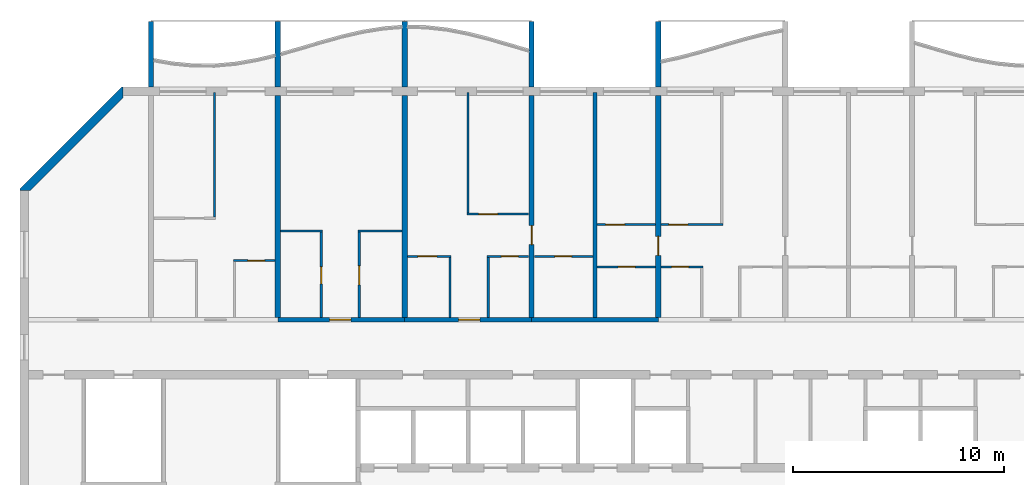
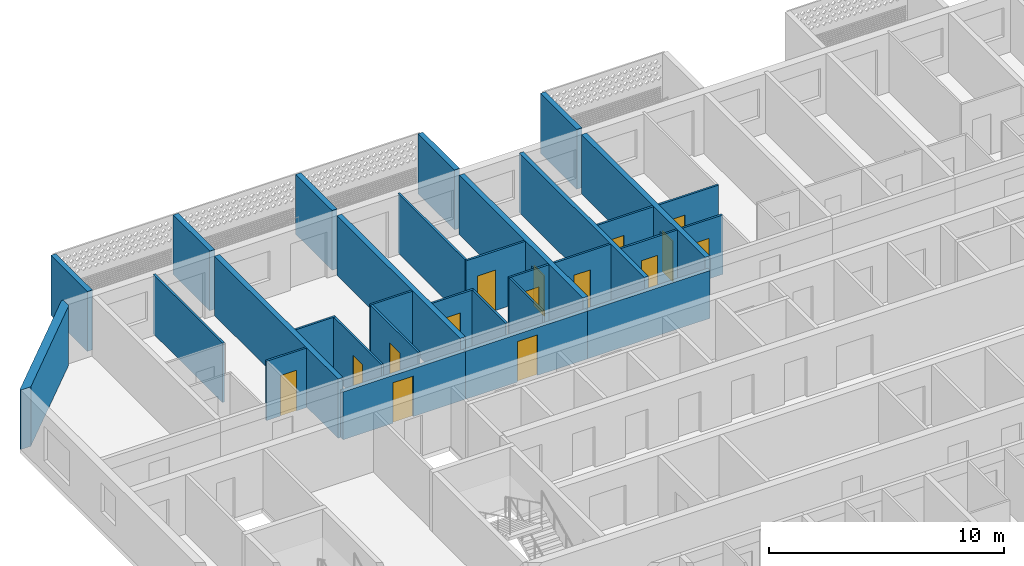
# One storey, part 8 of 27: 31 walls, 15 doors, 15 openings.
"""IFC4 building model written with IfcOpenShell, lengths in metres."""

from ifc_helpers import new_model, si_unit, direction, frame, frame_2d, origin, place, context, subcontext, project, spatial, polyline, rectangle, outline, extrude, source, transform, mapped, material, layer, layer_set, type_object, element, fill, save


model = new_model("IFC4")

# Units and contexts
model_context = context("Model", 3, precision=1e-05, world=origin(), true_north=direction((0.0, 1.0)))
body_context = subcontext(model_context, "Body", "Model", "MODEL_VIEW")
ifc_project = project(units=[si_unit("LENGTHUNIT", "METRE"), si_unit("AREAUNIT", "SQUARE_METRE"), si_unit("VOLUMEUNIT", "CUBIC_METRE"), si_unit("PLANEANGLEUNIT", "RADIAN"), si_unit("MASSUNIT", "GRAM", prefix="KILO")], contexts=[model_context])

# Site, building, storey
site_placement = place(None, origin())
site = spatial("IfcSite", under=ifc_project, at=site_placement, CompositionType="ELEMENT")
building_placement = place(site_placement, origin())
building = spatial("IfcBuilding", under=site, at=building_placement, Name="Poui Terraces", CompositionType="ELEMENT")
storey_placement = place(building_placement, frame((0.0, 0.0, 204.89990234375)))
storey = spatial("IfcBuildingStorey", under=building, at=storey_placement, Name="L57", CompositionType="ELEMENT", Elevation=204.89990234375)

# Wall, opening, door
ifc_material_1 = material(Name="Concrete 50 MPa", Category="concrete")
ifc_layer_1 = layer(ifc_material_1, 0.199951171875)
ifc_layer_set_1 = layer_set([ifc_layer_1], Name="Concrete 50 MPa")
wall_type_1 = type_object("IfcWallType", Name="CORRIDOR WALL 200 50MPa", PredefinedType="SHEAR", material=ifc_layer_set_1)
wall_1_placement = place(storey_placement, frame((30.0, 30.39990234375, 0.0), z_axis=(0.0, 0.0, 1.0), x_axis=(1.0, 0.0, 0.0)))
wall_1 = element("IfcWall", 1, at=wall_1_placement, inside=storey, type_object=wall_type_1, Name="CORRIDOR WALL LINE E BAY 3", PredefinedType="SHEAR", context=body_context, shape_type="SweptSolid", body=[
    extrude(rectangle(XDim=6.0, YDim=0.199951171875, at=frame_2d((3.0, 0.0))), origin(), (0.0, 0.0, 1.0), 2.47998046875),
])
opening_1_placement = place(wall_1_placement, frame((2.449951171875, 0.0, 0.0)))
opening_1 = element("IfcOpeningElement", 2, at=opening_1_placement, cuts=wall_1, Name="Opening FD30S", PredefinedType="OPENING", context=body_context, shape_type="SweptSolid", body=[
    extrude(rectangle(XDim=1.0, YDim=2.10009765625, at=frame_2d((0.5, 1.050048828125))), frame((0.0, 0.10986328125, 0.0), z_axis=(0.0, -1.0, 0.0), x_axis=(1.0, 0.0, 0.0)), (0.0, 0.0, 1.0), 0.219970703125),
])
ifc_material_2 = material(Name="Steel fire door", Category="steel")
door_type_1 = type_object("IfcDoorType", Name="FLAT ENTRANCE DOOR 1000 X 2100", OperationType="NOTDEFINED", PredefinedType="DOOR", material=ifc_material_2)
door_1_placement = place(opening_1_placement, origin())
door_1 = element("IfcDoor", 3, at=door_1_placement, inside=storey, type_object=door_type_1, Name="FLAT ENTRANCE DOOR 032", OperationType="SINGLE_SWING_LEFT", OverallHeight=2.10009765625, OverallWidth=1.0, PredefinedType="DOOR", context=body_context, shape_type="SweptSolid", body=[
    extrude(rectangle(XDim=1.0, YDim=2.10009765625, at=frame_2d((0.5, 1.050048828125))), frame((0.0, 0.02490234375, 0.0), z_axis=(0.0, -1.0, 0.0), x_axis=(1.0, 0.0, 0.0)), (0.0, 0.0, 1.0), 0.050048828125),
])
fill(opening_1, door_1)

wall_2_placement = place(storey_placement, frame((36.0, 30.39990234375, 0.0), z_axis=(0.0, 0.0, 1.0), x_axis=(1.0, 0.0, 0.0)))
wall_2 = element("IfcWall", 4, at=wall_2_placement, inside=storey, type_object=wall_type_1, Name="CORRIDOR WALL LINE E BAY 4", PredefinedType="SHEAR", context=body_context, shape_type="SweptSolid", body=[
    extrude(rectangle(XDim=6.0, YDim=0.199951171875, at=frame_2d((3.0, 0.0))), origin(), (0.0, 0.0, 1.0), 2.47998046875),
])
opening_2_placement = place(wall_2_placement, frame((2.550048828125, 0.0, 0.0)))
opening_2 = element("IfcOpeningElement", 5, at=opening_2_placement, cuts=wall_2, Name="Opening FD30S", PredefinedType="OPENING", context=body_context, shape_type="SweptSolid", body=[
    extrude(rectangle(XDim=1.0, YDim=2.10009765625, at=frame_2d((0.5, 1.050048828125))), frame((0.0, 0.10986328125, 0.0), z_axis=(0.0, -1.0, 0.0), x_axis=(1.0, 0.0, 0.0)), (0.0, 0.0, 1.0), 0.219970703125),
])
door_2_placement = place(opening_2_placement, origin())
door_2 = element("IfcDoor", 6, at=door_2_placement, inside=storey, type_object=door_type_1, Name="FLAT ENTRANCE DOOR 036", OperationType="SINGLE_SWING_RIGHT", OverallHeight=2.10009765625, OverallWidth=1.0, PredefinedType="DOOR", context=body_context, shape_type="SweptSolid", body=[
    extrude(rectangle(XDim=1.0, YDim=2.10009765625, at=frame_2d((0.5, 1.050048828125))), frame((0.0, 0.02490234375, 0.0), z_axis=(0.0, -1.0, 0.0), x_axis=(1.0, 0.0, 0.0)), (0.0, 0.0, 1.0), 0.050048828125),
])
fill(opening_2, door_2)

# Walls
wall_3_placement = place(storey_placement, frame((42.0, 30.39990234375, 0.0), z_axis=(0.0, 0.0, 1.0), x_axis=(1.0, 0.0, 0.0)))
element("IfcWall", 7, at=wall_3_placement, inside=storey, type_object=wall_type_1, Name="CORRIDOR WALL LINE E BAY 5", PredefinedType="SHEAR", context=body_context, shape_type="SweptSolid", body=[
    extrude(rectangle(XDim=6.0, YDim=0.199951171875, at=frame_2d((3.0, 0.0))), origin(), (0.0, 0.0, 1.0), 2.47998046875),
])
ifc_layer_2 = layer(ifc_material_1, 0.25)
ifc_layer_set_2 = layer_set([ifc_layer_2], Name="Concrete 50 MPa")
wall_type_2 = type_object("IfcWallType", Name="CROSS WALL 250 50MPa", PredefinedType="SHEAR", material=ifc_layer_set_2)
for number, where, z_axis, x_axis, name in (
    (8, (30.0, 30.5, 0.0), (0.0, 0.0, 1.0), (0.0, 1.0, 0.0), "CROSS WALL LINE 6 NORTH"),
    (9, (36.0, 30.5, 0.0), (0.0, 0.0, 1.0), (0.0, 1.0, 0.0), "CROSS WALL LINE 7 NORTH"),
):
    element("IfcWall", number, at=place(storey_placement, frame(where, z_axis=z_axis, x_axis=x_axis)), inside=storey, type_object=wall_type_2, Name=name, PredefinedType="SHEAR", context=body_context, shape_type="SweptSolid", body=[
        extrude(rectangle(XDim=10.5, YDim=0.25, at=frame_2d((5.25, 0.0))), origin(), (0.0, 0.0, 1.0), 3.080078125),
    ])

# Wall, opening, door
wall_4_placement = place(storey_placement, frame((42.0, 30.5, 0.0), z_axis=(0.0, 0.0, 1.0), x_axis=(0.0, 1.0, 0.0)))
wall_4 = element("IfcWall", 10, at=wall_4_placement, inside=storey, type_object=wall_type_2, Name="CROSS WALL LINE 8 NORTH", PredefinedType="SHEAR", context=body_context, shape_type="SweptSolid", body=[
    extrude(rectangle(XDim=10.5, YDim=0.25, at=frame_2d((5.25, 0.0))), origin(), (0.0, 0.0, 1.0), 3.080078125),
])
opening_3_placement = place(wall_4_placement, frame((3.449951171875, 0.0, 0.0)))
opening_3 = element("IfcOpeningElement", 11, at=opening_3_placement, cuts=wall_4, Name="Opening D90", PredefinedType="OPENING", context=body_context, shape_type="SweptSolid", body=[
    extrude(rectangle(XDim=0.89990234375, YDim=2.10009765625, at=frame_2d((0.449951171875, 1.050048828125))), frame((0.0, 0.135009765625, 0.0), z_axis=(0.0, -1.0, 0.0), x_axis=(1.0, 0.0, 0.0)), (0.0, 0.0, 1.0), 0.27001953125),
])
ifc_material_3 = material(Name="Solid core timber door", Category="wood")
door_type_2 = type_object("IfcDoorType", Name="INTERNAL DOOR 900 X 2100", OperationType="NOTDEFINED", PredefinedType="DOOR", material=ifc_material_3)
door_3_placement = place(opening_3_placement, frame((0.89990234375, 0.0, 0.0), z_axis=(0.0, 0.0, 1.0), x_axis=(-1.0, 0.0, 0.0)))
door_3 = element("IfcDoor", 12, at=door_3_placement, inside=storey, type_object=door_type_2, Name="INTERNAL DOOR 039", OperationType="SINGLE_SWING_RIGHT", OverallHeight=2.10009765625, OverallWidth=0.89990234375, PredefinedType="DOOR", context=body_context, shape_type="SweptSolid", body=[
    extrude(rectangle(XDim=0.89990234375, YDim=2.10009765625, at=frame_2d((0.449951171875, 1.050048828125))), frame((0.0, 0.02490234375, 0.0), z_axis=(0.0, -1.0, 0.0), x_axis=(1.0, 0.0, 0.0)), (0.0, 0.0, 1.0), 0.050048828125),
])
fill(opening_3, door_3)

wall_5_placement = place(storey_placement, frame((48.0, 30.5, 0.0), z_axis=(0.0, 0.0, 1.0), x_axis=(0.0, 1.0, 0.0)))
wall_5 = element("IfcWall", 13, at=wall_5_placement, inside=storey, type_object=wall_type_2, Name="CROSS WALL LINE 9 NORTH", PredefinedType="SHEAR", context=body_context, shape_type="SweptSolid", body=[
    extrude(rectangle(XDim=10.5, YDim=0.25, at=frame_2d((5.25, 0.0))), origin(), (0.0, 0.0, 1.0), 3.080078125),
])
opening_4_placement = place(wall_5_placement, frame((2.949951171875, 0.0, 0.0)))
opening_4 = element("IfcOpeningElement", 14, at=opening_4_placement, cuts=wall_5, Name="Opening D90", PredefinedType="OPENING", context=body_context, shape_type="SweptSolid", body=[
    extrude(rectangle(XDim=0.89990234375, YDim=2.10009765625, at=frame_2d((0.449951171875, 1.050048828125))), frame((0.0, 0.135009765625, 0.0), z_axis=(0.0, -1.0, 0.0), x_axis=(1.0, 0.0, 0.0)), (0.0, 0.0, 1.0), 0.27001953125),
])
door_4_placement = place(opening_4_placement, frame((0.89990234375, 0.0, 0.0), z_axis=(0.0, 0.0, 1.0), x_axis=(-1.0, 0.0, 0.0)))
door_4 = element("IfcDoor", 15, at=door_4_placement, inside=storey, type_object=door_type_2, Name="INTERNAL DOOR 043", OperationType="SINGLE_SWING_RIGHT", OverallHeight=2.10009765625, OverallWidth=0.89990234375, PredefinedType="DOOR", context=body_context, shape_type="SweptSolid", body=[
    extrude(rectangle(XDim=0.89990234375, YDim=2.10009765625, at=frame_2d((0.449951171875, 1.050048828125))), frame((0.0, 0.02490234375, 0.0), z_axis=(0.0, -1.0, 0.0), x_axis=(1.0, 0.0, 0.0)), (0.0, 0.0, 1.0), 0.050048828125),
])
fill(opening_4, door_4)

ifc_material_4 = material(Name="Plasterboard partition")
ifc_layer_3 = layer(ifc_material_4, 0.10009765625)
ifc_layer_set_3 = layer_set([ifc_layer_3], Name="Plasterboard partition")
wall_type_3 = type_object("IfcWallType", Name="FLAT PARTITION 100", PredefinedType="PARTITIONING", material=ifc_layer_set_3)
wall_6_placement = place(storey_placement, frame((45.10009765625, 32.89990234375, 0.0), z_axis=(0.0, 0.0, 1.0), x_axis=(1.0, 0.0, 0.0)))
wall_6 = element("IfcWall", 16, at=wall_6_placement, inside=storey, type_object=wall_type_3, Name="FLAT PARTITION 100", PredefinedType="PARTITIONING", context=body_context, shape_type="SweptSolid", body=[
    extrude(rectangle(XDim=2.764892578125, YDim=0.10009765625, at=frame_2d((1.38232421875, 0.0))), origin(), (0.0, 0.0, 1.0), 3.080078125),
])
opening_5_placement = place(wall_6_placement, frame((1.0, 0.0, 0.0)))
opening_5 = element("IfcOpeningElement", 17, at=opening_5_placement, cuts=wall_6, Name="Opening D80", PredefinedType="OPENING", context=body_context, shape_type="SweptSolid", body=[
    extrude(rectangle(XDim=0.800048828125, YDim=2.10009765625, at=frame_2d((0.39990234375, 1.050048828125))), frame((0.0, 0.06005859375, 0.0), z_axis=(0.0, -1.0, 0.0), x_axis=(1.0, 0.0, 0.0)), (0.0, 0.0, 1.0), 0.1201171875),
])
door_type_3 = type_object("IfcDoorType", Name="BATHROOM, LAUNDRY AND STORE DOOR 800 X 2100", OperationType="NOTDEFINED", PredefinedType="DOOR", material=ifc_material_3)
door_5_placement = place(opening_5_placement, frame((0.800048828125, 0.0, 0.0), z_axis=(0.0, 0.0, 1.0), x_axis=(-1.0, 0.0, 0.0)))
door_5 = element("IfcDoor", 18, at=door_5_placement, inside=storey, type_object=door_type_3, Name="BATHROOM, LAUNDRY AND STORE DOOR 042", OperationType="SINGLE_SWING_LEFT", OverallHeight=2.10009765625, OverallWidth=0.800048828125, PredefinedType="DOOR", context=body_context, shape_type="SweptSolid", body=[
    extrude(rectangle(XDim=0.800048828125, YDim=2.10009765625, at=frame_2d((0.39990234375, 1.050048828125))), frame((0.0, 0.02490234375, 0.0), z_axis=(0.0, -1.0, 0.0), x_axis=(1.0, 0.0, 0.0)), (0.0, 0.0, 1.0), 0.050048828125),
])
fill(opening_5, door_5)

wall_7_placement = place(storey_placement, frame((48.135009765625, 32.89990234375, 0.0), z_axis=(0.0, 0.0, 1.0), x_axis=(1.0, 0.0, 0.0)))
wall_7 = element("IfcWall", 19, at=wall_7_placement, inside=storey, type_object=wall_type_3, Name="FLAT PARTITION 100", PredefinedType="PARTITIONING", context=body_context, shape_type="SweptSolid", body=[
    extrude(rectangle(XDim=1.965087890625, YDim=0.10009765625, at=frame_2d((0.982421875, 0.0))), origin(), (0.0, 0.0, 1.0), 3.080078125),
])
opening_6_placement = place(wall_7_placement, frame((0.489990234375, 0.0, 0.0)))
opening_6 = element("IfcOpeningElement", 20, at=opening_6_placement, cuts=wall_7, Name="Opening D80", PredefinedType="OPENING", context=body_context, shape_type="SweptSolid", body=[
    extrude(rectangle(XDim=0.800048828125, YDim=2.10009765625, at=frame_2d((0.39990234375, 1.050048828125))), frame((0.0, 0.06005859375, 0.0), z_axis=(0.0, -1.0, 0.0), x_axis=(1.0, 0.0, 0.0)), (0.0, 0.0, 1.0), 0.1201171875),
])
door_6_placement = place(opening_6_placement, frame((0.800048828125, 0.0, 0.0), z_axis=(0.0, 0.0, 1.0), x_axis=(-1.0, 0.0, 0.0)))
door_6 = element("IfcDoor", 21, at=door_6_placement, inside=storey, type_object=door_type_3, Name="BATHROOM, LAUNDRY AND STORE DOOR 045", OperationType="SINGLE_SWING_RIGHT", OverallHeight=2.10009765625, OverallWidth=0.800048828125, PredefinedType="DOOR", context=body_context, shape_type="SweptSolid", body=[
    extrude(rectangle(XDim=0.800048828125, YDim=2.10009765625, at=frame_2d((0.39990234375, 1.050048828125))), frame((0.0, 0.02490234375, 0.0), z_axis=(0.0, -1.0, 0.0), x_axis=(1.0, 0.0, 0.0)), (0.0, 0.0, 1.0), 0.050048828125),
])
fill(opening_6, door_6)

wall_8_placement = place(storey_placement, frame((27.89990234375, 33.199951171875, 0.0), z_axis=(0.0, 0.0, 1.0), x_axis=(1.0, 0.0, 0.0)))
wall_8 = element("IfcWall", 22, at=wall_8_placement, inside=storey, type_object=wall_type_3, Name="FLAT PARTITION 100", PredefinedType="PARTITIONING", context=body_context, shape_type="SweptSolid", body=[
    extrude(rectangle(XDim=1.965087890625, YDim=0.10009765625, at=frame_2d((0.982421875, 0.0))), origin(), (0.0, 0.0, 1.0), 3.080078125),
])
opening_7_placement = place(wall_8_placement, frame((0.675048828125, 0.0, 0.0)))
opening_7 = element("IfcOpeningElement", 23, at=opening_7_placement, cuts=wall_8, Name="Opening D80", PredefinedType="OPENING", context=body_context, shape_type="SweptSolid", body=[
    extrude(rectangle(XDim=0.800048828125, YDim=2.10009765625, at=frame_2d((0.39990234375, 1.050048828125))), frame((0.0, 0.06005859375, 0.0), z_axis=(0.0, -1.0, 0.0), x_axis=(1.0, 0.0, 0.0)), (0.0, 0.0, 1.0), 0.1201171875),
])
door_7_placement = place(opening_7_placement, frame((0.800048828125, 0.0, 0.0), z_axis=(0.0, 0.0, 1.0), x_axis=(-1.0, 0.0, 0.0)))
door_7 = element("IfcDoor", 24, at=door_7_placement, inside=storey, type_object=door_type_3, Name="BATHROOM, LAUNDRY AND STORE DOOR 030", OperationType="SINGLE_SWING_RIGHT", OverallHeight=2.10009765625, OverallWidth=0.800048828125, PredefinedType="DOOR", context=body_context, shape_type="SweptSolid", body=[
    extrude(rectangle(XDim=0.800048828125, YDim=2.10009765625, at=frame_2d((0.39990234375, 1.050048828125))), frame((0.0, 0.02490234375, 0.0), z_axis=(0.0, -1.0, 0.0), x_axis=(1.0, 0.0, 0.0)), (0.0, 0.0, 1.0), 0.050048828125),
])
fill(opening_7, door_7)

wall_9_placement = place(storey_placement, frame((36.135009765625, 33.39990234375, 0.0), z_axis=(0.0, 0.0, 1.0), x_axis=(1.0, 0.0, 0.0)))
wall_9 = element("IfcWall", 25, at=wall_9_placement, inside=storey, type_object=wall_type_3, Name="FLAT PARTITION 100", PredefinedType="PARTITIONING", context=body_context, shape_type="SweptSolid", body=[
    extrude(rectangle(XDim=2.06494140625, YDim=0.10009765625, at=frame_2d((1.032470703125, 0.0))), origin(), (0.0, 0.0, 1.0), 3.080078125),
])
opening_8_placement = place(wall_9_placement, frame((0.489990234375, 0.0, 0.0)))
opening_8 = element("IfcOpeningElement", 26, at=opening_8_placement, cuts=wall_9, Name="Opening D90", PredefinedType="OPENING", context=body_context, shape_type="SweptSolid", body=[
    extrude(rectangle(XDim=0.89990234375, YDim=2.10009765625, at=frame_2d((0.449951171875, 1.050048828125))), frame((0.0, 0.06005859375, 0.0), z_axis=(0.0, -1.0, 0.0), x_axis=(1.0, 0.0, 0.0)), (0.0, 0.0, 1.0), 0.1201171875),
])
door_8_placement = place(opening_8_placement, frame((0.89990234375, 0.0, 0.0), z_axis=(0.0, 0.0, 1.0), x_axis=(-1.0, 0.0, 0.0)))
door_8 = element("IfcDoor", 27, at=door_8_placement, inside=storey, type_object=door_type_2, Name="INTERNAL DOOR 035", OperationType="SINGLE_SWING_LEFT", OverallHeight=2.10009765625, OverallWidth=0.89990234375, PredefinedType="DOOR", context=body_context, shape_type="SweptSolid", body=[
    extrude(rectangle(XDim=0.89990234375, YDim=2.10009765625, at=frame_2d((0.449951171875, 1.050048828125))), frame((0.0, 0.02490234375, 0.0), z_axis=(0.0, -1.0, 0.0), x_axis=(1.0, 0.0, 0.0)), (0.0, 0.0, 1.0), 0.050048828125),
])
fill(opening_8, door_8)

wall_10_placement = place(storey_placement, frame((39.89990234375, 33.39990234375, 0.0), z_axis=(0.0, 0.0, 1.0), x_axis=(1.0, 0.0, 0.0)))
wall_10 = element("IfcWall", 28, at=wall_10_placement, inside=storey, type_object=wall_type_3, Name="FLAT PARTITION 100", PredefinedType="PARTITIONING", context=body_context, shape_type="SweptSolid", body=[
    extrude(rectangle(XDim=1.965087890625, YDim=0.10009765625, at=frame_2d((0.982421875, 0.0))), origin(), (0.0, 0.0, 1.0), 3.080078125),
])
opening_9_placement = place(wall_10_placement, frame((0.675048828125, 0.0, 0.0)))
opening_9 = element("IfcOpeningElement", 29, at=opening_9_placement, cuts=wall_10, Name="Opening D80", PredefinedType="OPENING", context=body_context, shape_type="SweptSolid", body=[
    extrude(rectangle(XDim=0.800048828125, YDim=2.10009765625, at=frame_2d((0.39990234375, 1.050048828125))), frame((0.0, 0.06005859375, 0.0), z_axis=(0.0, -1.0, 0.0), x_axis=(1.0, 0.0, 0.0)), (0.0, 0.0, 1.0), 0.1201171875),
])
door_9_placement = place(opening_9_placement, frame((0.800048828125, 0.0, 0.0), z_axis=(0.0, 0.0, 1.0), x_axis=(-1.0, 0.0, 0.0)))
door_9 = element("IfcDoor", 30, at=door_9_placement, inside=storey, type_object=door_type_3, Name="BATHROOM, LAUNDRY AND STORE DOOR 038", OperationType="SINGLE_SWING_RIGHT", OverallHeight=2.10009765625, OverallWidth=0.800048828125, PredefinedType="DOOR", context=body_context, shape_type="SweptSolid", body=[
    extrude(rectangle(XDim=0.800048828125, YDim=2.10009765625, at=frame_2d((0.39990234375, 1.050048828125))), frame((0.0, 0.02490234375, 0.0), z_axis=(0.0, -1.0, 0.0), x_axis=(1.0, 0.0, 0.0)), (0.0, 0.0, 1.0), 0.050048828125),
])
fill(opening_9, door_9)

wall_11_placement = place(storey_placement, frame((42.135009765625, 33.39990234375, 0.0), z_axis=(0.0, 0.0, 1.0), x_axis=(1.0, 0.0, 0.0)))
wall_11 = element("IfcWall", 31, at=wall_11_placement, inside=storey, type_object=wall_type_3, Name="FLAT PARTITION 100", PredefinedType="PARTITIONING", context=body_context, shape_type="SweptSolid", body=[
    extrude(rectangle(XDim=2.764892578125, YDim=0.10009765625, at=frame_2d((1.38232421875, 0.0))), origin(), (0.0, 0.0, 1.0), 3.080078125),
])
opening_10_placement = place(wall_11_placement, frame((0.965087890625, 0.0, 0.0)))
opening_10 = element("IfcOpeningElement", 32, at=opening_10_placement, cuts=wall_11, Name="Opening D80", PredefinedType="OPENING", context=body_context, shape_type="SweptSolid", body=[
    extrude(rectangle(XDim=0.800048828125, YDim=2.10009765625, at=frame_2d((0.39990234375, 1.050048828125))), frame((0.0, 0.06005859375, 0.0), z_axis=(0.0, -1.0, 0.0), x_axis=(1.0, 0.0, 0.0)), (0.0, 0.0, 1.0), 0.1201171875),
])
door_10_placement = place(opening_10_placement, frame((0.800048828125, 0.0, 0.0), z_axis=(0.0, 0.0, 1.0), x_axis=(-1.0, 0.0, 0.0)))
door_10 = element("IfcDoor", 33, at=door_10_placement, inside=storey, type_object=door_type_3, Name="BATHROOM, LAUNDRY AND STORE DOOR 034", OperationType="SINGLE_SWING_LEFT", OverallHeight=2.10009765625, OverallWidth=0.800048828125, PredefinedType="DOOR", context=body_context, shape_type="SweptSolid", body=[
    extrude(rectangle(XDim=0.800048828125, YDim=2.10009765625, at=frame_2d((0.39990234375, 1.050048828125))), frame((0.0, 0.02490234375, 0.0), z_axis=(0.0, -1.0, 0.0), x_axis=(1.0, 0.0, 0.0)), (0.0, 0.0, 1.0), 0.050048828125),
])
fill(opening_10, door_10)

# Walls
wall_12_placement = place(storey_placement, frame((30.135009765625, 34.60009765625, 0.0), z_axis=(0.0, 0.0, 1.0), x_axis=(1.0, 0.0, 0.0)))
element("IfcWall", 34, at=wall_12_placement, inside=storey, type_object=wall_type_3, Name="FLAT PARTITION 100", PredefinedType="PARTITIONING", context=body_context, shape_type="SweptSolid", body=[
    extrude(rectangle(XDim=1.965087890625, YDim=0.10009765625, at=frame_2d((0.982421875, 0.0))), origin(), (0.0, 0.0, 1.0), 3.080078125),
])
wall_13_placement = place(storey_placement, frame((33.800048828125, 34.60009765625, 0.0), z_axis=(0.0, 0.0, 1.0), x_axis=(1.0, 0.0, 0.0)))
element("IfcWall", 35, at=wall_13_placement, inside=storey, type_object=wall_type_3, Name="FLAT PARTITION 100", PredefinedType="PARTITIONING", context=body_context, shape_type="SweptSolid", body=[
    extrude(rectangle(XDim=2.06494140625, YDim=0.10009765625, at=frame_2d((1.032470703125, 0.0))), origin(), (0.0, 0.0, 1.0), 3.080078125),
])

# Wall, opening, door
wall_14_placement = place(storey_placement, frame((45.10009765625, 34.89990234375, 0.0), z_axis=(0.0, 0.0, 1.0), x_axis=(1.0, 0.0, 0.0)))
wall_14 = element("IfcWall", 36, at=wall_14_placement, inside=storey, type_object=wall_type_3, Name="FLAT PARTITION 100", PredefinedType="PARTITIONING", context=body_context, shape_type="SweptSolid", body=[
    extrude(rectangle(XDim=2.764892578125, YDim=0.10009765625, at=frame_2d((1.38232421875, 0.0))), origin(), (0.0, 0.0, 1.0), 3.080078125),
])
opening_11_placement = place(wall_14_placement, frame((0.39990234375, 0.0, 0.0)))
opening_11 = element("IfcOpeningElement", 37, at=opening_11_placement, cuts=wall_14, Name="Opening D90", PredefinedType="OPENING", context=body_context, shape_type="SweptSolid", body=[
    extrude(rectangle(XDim=0.89990234375, YDim=2.10009765625, at=frame_2d((0.449951171875, 1.050048828125))), frame((0.0, 0.06005859375, 0.0), z_axis=(0.0, -1.0, 0.0), x_axis=(1.0, 0.0, 0.0)), (0.0, 0.0, 1.0), 0.1201171875),
])
door_11_placement = place(opening_11_placement, origin())
door_11 = element("IfcDoor", 38, at=door_11_placement, inside=storey, type_object=door_type_2, Name="INTERNAL DOOR 041", OperationType="SINGLE_SWING_LEFT", OverallHeight=2.10009765625, OverallWidth=0.89990234375, PredefinedType="DOOR", context=body_context, shape_type="SweptSolid", body=[
    extrude(rectangle(XDim=0.89990234375, YDim=2.10009765625, at=frame_2d((0.449951171875, 1.050048828125))), frame((0.0, 0.02490234375, 0.0), z_axis=(0.0, -1.0, 0.0), x_axis=(1.0, 0.0, 0.0)), (0.0, 0.0, 1.0), 0.050048828125),
])
fill(opening_11, door_11)

wall_15_placement = place(storey_placement, frame((48.135009765625, 34.89990234375, 0.0), z_axis=(0.0, 0.0, 1.0), x_axis=(1.0, 0.0, 0.0)))
wall_15 = element("IfcWall", 39, at=wall_15_placement, inside=storey, type_object=wall_type_3, Name="FLAT PARTITION 100", PredefinedType="PARTITIONING", context=body_context, shape_type="SweptSolid", body=[
    extrude(rectangle(XDim=2.9150390625, YDim=0.10009765625, at=frame_2d((1.45751953125, 0.0))), origin(), (0.0, 0.0, 1.0), 3.080078125),
])
opening_12_placement = place(wall_15_placement, frame((0.364990234375, 0.0, 0.0)))
opening_12 = element("IfcOpeningElement", 40, at=opening_12_placement, cuts=wall_15, Name="Opening D90", PredefinedType="OPENING", context=body_context, shape_type="SweptSolid", body=[
    extrude(rectangle(XDim=0.89990234375, YDim=2.10009765625, at=frame_2d((0.449951171875, 1.050048828125))), frame((0.0, 0.06005859375, 0.0), z_axis=(0.0, -1.0, 0.0), x_axis=(1.0, 0.0, 0.0)), (0.0, 0.0, 1.0), 0.1201171875),
])
door_12_placement = place(opening_12_placement, frame((0.89990234375, 0.0, 0.0), z_axis=(0.0, 0.0, 1.0), x_axis=(-1.0, 0.0, 0.0)))
door_12 = element("IfcDoor", 41, at=door_12_placement, inside=storey, type_object=door_type_2, Name="INTERNAL DOOR 044", OperationType="SINGLE_SWING_LEFT", OverallHeight=2.10009765625, OverallWidth=0.89990234375, PredefinedType="DOOR", context=body_context, shape_type="SweptSolid", body=[
    extrude(rectangle(XDim=0.89990234375, YDim=2.10009765625, at=frame_2d((0.449951171875, 1.050048828125))), frame((0.0, 0.02490234375, 0.0), z_axis=(0.0, -1.0, 0.0), x_axis=(1.0, 0.0, 0.0)), (0.0, 0.0, 1.0), 0.050048828125),
])
fill(opening_12, door_12)

wall_16_placement = place(storey_placement, frame((38.949951171875, 35.39990234375, 0.0), z_axis=(0.0, 0.0, 1.0), x_axis=(1.0, 0.0, 0.0)))
wall_16 = element("IfcWall", 42, at=wall_16_placement, inside=storey, type_object=wall_type_3, Name="FLAT PARTITION 100", PredefinedType="PARTITIONING", context=body_context, shape_type="SweptSolid", body=[
    extrude(rectangle(XDim=2.9150390625, YDim=0.10009765625, at=frame_2d((1.45751953125, 0.0))), origin(), (0.0, 0.0, 1.0), 3.080078125),
])
opening_13_placement = place(wall_16_placement, frame((0.550048828125, 0.0, 0.0)))
opening_13 = element("IfcOpeningElement", 43, at=opening_13_placement, cuts=wall_16, Name="Opening D90", PredefinedType="OPENING", context=body_context, shape_type="SweptSolid", body=[
    extrude(rectangle(XDim=0.89990234375, YDim=2.10009765625, at=frame_2d((0.449951171875, 1.050048828125))), frame((0.0, 0.06005859375, 0.0), z_axis=(0.0, -1.0, 0.0), x_axis=(1.0, 0.0, 0.0)), (0.0, 0.0, 1.0), 0.1201171875),
])
door_13_placement = place(opening_13_placement, frame((0.89990234375, 0.0, 0.0), z_axis=(0.0, 0.0, 1.0), x_axis=(-1.0, 0.0, 0.0)))
door_13 = element("IfcDoor", 44, at=door_13_placement, inside=storey, type_object=door_type_2, Name="INTERNAL DOOR 037", OperationType="SINGLE_SWING_LEFT", OverallHeight=2.10009765625, OverallWidth=0.89990234375, PredefinedType="DOOR", context=body_context, shape_type="SweptSolid", body=[
    extrude(rectangle(XDim=0.89990234375, YDim=2.10009765625, at=frame_2d((0.449951171875, 1.050048828125))), frame((0.0, 0.02490234375, 0.0), z_axis=(0.0, -1.0, 0.0), x_axis=(1.0, 0.0, 0.0)), (0.0, 0.0, 1.0), 0.050048828125),
])
fill(opening_13, door_13)

# Wall
wall_17_placement = place(storey_placement, frame((27.0, 35.25, 0.0), z_axis=(0.0, 0.0, 1.0), x_axis=(0.0, 1.0, 0.0)))
element("IfcWall", 45, at=wall_17_placement, inside=storey, type_object=wall_type_3, Name="FLAT PARTITION 100", PredefinedType="PARTITIONING", context=body_context, shape_type="SweptSolid", body=[
    extrude(rectangle(XDim=5.889892578125, YDim=0.10009765625, at=frame_2d((2.94482421875, 0.0))), origin(), (0.0, 0.0, 1.0), 3.080078125),
])

# Wall, opening, door
wall_18_placement = place(storey_placement, frame((32.050048828125, 30.510009765625, 0.0), z_axis=(0.0, 0.0, 1.0), x_axis=(0.0, 1.0, 0.0)))
wall_18 = element("IfcWall", 46, at=wall_18_placement, inside=storey, type_object=wall_type_3, Name="FLAT PARTITION 100", PredefinedType="PARTITIONING", context=body_context, shape_type="SweptSolid", body=[
    extrude(rectangle(XDim=4.0400390625, YDim=0.10009765625, at=frame_2d((2.02001953125, 0.0))), origin(), (0.0, 0.0, 1.0), 3.080078125),
])
opening_14_placement = place(wall_18_placement, frame((1.590087890625, 0.0, 0.0)))
opening_14 = element("IfcOpeningElement", 47, at=opening_14_placement, cuts=wall_18, Name="Opening D80", PredefinedType="OPENING", context=body_context, shape_type="SweptSolid", body=[
    extrude(rectangle(XDim=0.800048828125, YDim=2.10009765625, at=frame_2d((0.39990234375, 1.050048828125))), frame((0.0, 0.06005859375, 0.0), z_axis=(0.0, -1.0, 0.0), x_axis=(1.0, 0.0, 0.0)), (0.0, 0.0, 1.0), 0.1201171875),
])
door_14_placement = place(opening_14_placement, origin())
door_14 = element("IfcDoor", 48, at=door_14_placement, inside=storey, type_object=door_type_3, Name="BATHROOM, LAUNDRY AND STORE DOOR 031", OperationType="SINGLE_SWING_RIGHT", OverallHeight=2.10009765625, OverallWidth=0.800048828125, PredefinedType="DOOR", context=body_context, shape_type="SweptSolid", body=[
    extrude(rectangle(XDim=0.800048828125, YDim=2.10009765625, at=frame_2d((0.39990234375, 1.050048828125))), frame((0.0, 0.02490234375, 0.0), z_axis=(0.0, -1.0, 0.0), x_axis=(1.0, 0.0, 0.0)), (0.0, 0.0, 1.0), 0.050048828125),
])
fill(opening_14, door_14)

wall_19_placement = place(storey_placement, frame((33.85009765625, 30.510009765625, 0.0), z_axis=(0.0, 0.0, 1.0), x_axis=(0.0, 1.0, 0.0)))
wall_19 = element("IfcWall", 49, at=wall_19_placement, inside=storey, type_object=wall_type_3, Name="FLAT PARTITION 100", PredefinedType="PARTITIONING", context=body_context, shape_type="SweptSolid", body=[
    extrude(rectangle(XDim=4.0400390625, YDim=0.10009765625, at=frame_2d((2.02001953125, 0.0))), origin(), (0.0, 0.0, 1.0), 3.080078125),
])
opening_15_placement = place(wall_19_placement, frame((1.5400390625, 0.0, 0.0)))
opening_15 = element("IfcOpeningElement", 50, at=opening_15_placement, cuts=wall_19, Name="Opening D90", PredefinedType="OPENING", context=body_context, shape_type="SweptSolid", body=[
    extrude(rectangle(XDim=0.89990234375, YDim=2.10009765625, at=frame_2d((0.449951171875, 1.050048828125))), frame((0.0, 0.06005859375, 0.0), z_axis=(0.0, -1.0, 0.0), x_axis=(1.0, 0.0, 0.0)), (0.0, 0.0, 1.0), 0.1201171875),
])
door_15_placement = place(opening_15_placement, frame((0.89990234375, 0.0, 0.0), z_axis=(0.0, 0.0, 1.0), x_axis=(-1.0, 0.0, 0.0)))
door_15 = element("IfcDoor", 51, at=door_15_placement, inside=storey, type_object=door_type_2, Name="INTERNAL DOOR 033", OperationType="SINGLE_SWING_RIGHT", OverallHeight=2.10009765625, OverallWidth=0.89990234375, PredefinedType="DOOR", context=body_context, shape_type="SweptSolid", body=[
    extrude(rectangle(XDim=0.89990234375, YDim=2.10009765625, at=frame_2d((0.449951171875, 1.050048828125))), frame((0.0, 0.02490234375, 0.0), z_axis=(0.0, -1.0, 0.0), x_axis=(1.0, 0.0, 0.0)), (0.0, 0.0, 1.0), 0.050048828125),
])
fill(opening_15, door_15)

# Walls
wall_20_placement = place(storey_placement, frame((38.14990234375, 30.510009765625, 0.0), z_axis=(0.0, 0.0, 1.0), x_axis=(0.0, 1.0, 0.0)))
element("IfcWall", 52, at=wall_20_placement, inside=storey, type_object=wall_type_3, Name="FLAT PARTITION 100", PredefinedType="PARTITIONING", context=body_context, shape_type="SweptSolid", body=[
    extrude(rectangle(XDim=2.840087890625, YDim=0.10009765625, at=frame_2d((1.419921875, 0.0))), origin(), (0.0, 0.0, 1.0), 3.080078125),
])
wall_21_placement = place(storey_placement, frame((39.0, 35.449951171875, 0.0), z_axis=(0.0, 0.0, 1.0), x_axis=(0.0, 1.0, 0.0)))
element("IfcWall", 53, at=wall_21_placement, inside=storey, type_object=wall_type_3, Name="FLAT PARTITION 100", PredefinedType="PARTITIONING", context=body_context, shape_type="SweptSolid", body=[
    extrude(rectangle(XDim=5.68994140625, YDim=0.10009765625, at=frame_2d((2.844970703125, 0.0))), origin(), (0.0, 0.0, 1.0), 3.080078125),
])
wall_22_placement = place(storey_placement, frame((39.949951171875, 30.510009765625, 0.0), z_axis=(0.0, 0.0, 1.0), x_axis=(0.0, 1.0, 0.0)))
element("IfcWall", 54, at=wall_22_placement, inside=storey, type_object=wall_type_3, Name="FLAT PARTITION 100", PredefinedType="PARTITIONING", context=body_context, shape_type="SweptSolid", body=[
    extrude(rectangle(XDim=2.840087890625, YDim=0.10009765625, at=frame_2d((1.419921875, 0.0))), origin(), (0.0, 0.0, 1.0), 3.080078125),
])
ifc_material_5 = material(Name="Fire-rated masonry wall", Category="masonry")
ifc_layer_4 = layer(ifc_material_5, 0.199951171875)
ifc_layer_set_4 = layer_set([ifc_layer_4], Name="Fire-rated masonry wall")
wall_type_4 = type_object("IfcWallType", Name="FLAT PARTY WALL 200", PredefinedType="PARTITIONING", material=ifc_layer_set_4)
wall_23_placement = place(storey_placement, frame((45.0, 30.510009765625, 0.0), z_axis=(0.0, 0.0, 1.0), x_axis=(0.0, 1.0, 0.0)))
element("IfcWall", 55, at=wall_23_placement, inside=storey, type_object=wall_type_4, Name="FLAT PARTY WALL 200", PredefinedType="PARTITIONING", context=body_context, shape_type="SweptSolid", body=[
    extrude(rectangle(XDim=10.6298828125, YDim=0.199951171875, at=frame_2d((5.31494140625, 0.0))), origin(), (0.0, 0.0, 1.0), 3.080078125),
])
ifc_material_6 = material(Name="Precast concrete 40 MPa", Category="concrete")
ifc_layer_5 = layer(ifc_material_6, 0.39990234375)
ifc_layer_set_5 = layer_set([ifc_layer_5], Name="Precast concrete 40 MPa")
wall_type_5 = type_object("IfcWallType", Name="TERRACOTTA CLAD CHAMFER WALL 400", PredefinedType="STANDARD", material=ifc_layer_set_5)
wall_24_placement = place(storey_placement, origin())
element("IfcWall", 56, at=wall_24_placement, inside=storey, type_object=wall_type_5, Name="CHAMFER WALL CH05", PredefinedType="STANDARD", context=body_context, shape_type="SweptSolid", body=[
    extrude(outline(polyline([(22.682861328125, 41.39990234375), (22.60009765625, 41.39990234375), (17.800048828125, 36.60009765625), (17.800048828125, 36.51708984375), (18.28271484375, 36.51708984375), (22.682861328125, 40.917236328125), (22.682861328125, 41.39990234375)])), origin(), (0.0, 0.0, 1.0), 3.080078125),
])
ifc_layer_6 = layer(ifc_material_6, 0.25)
ifc_layer_set_6 = layer_set([ifc_layer_6], Name="Precast concrete 40 MPa")
wall_type_6 = type_object("IfcWallType", Name="BALCONY FIN 250", PredefinedType="STANDARD", material=ifc_layer_set_6)
shared_shape = source(origin(), body_context, "Body", "SweptSolid", [
    extrude(outline(polyline([(0.0, 0.0), (0.25, 0.0), (0.25, 3.10009765625), (0.0, 3.10009765625), (0.0, 0.0)])), origin(), (0.0, 0.0, 1.0), 3.10009765625),
])
for number, where, name in (
    (57, (23.875, 41.39990234375, 0.0), "BALCONY FIN"),
    (58, (29.875, 41.39990234375, 0.0), "BALCONY FIN"),
    (59, (35.875, 41.39990234375, 0.0), "BALCONY FIN"),
    (60, (41.875, 41.39990234375, 0.0), "BALCONY FIN"),
    (61, (47.875, 41.39990234375, 0.0), "BALCONY FIN"),
):
    element("IfcWall", number, at=place(storey_placement, frame(where)), inside=storey, type_object=wall_type_6, Name=name, PredefinedType="STANDARD", context=body_context, shape_type="MappedRepresentation", body=[
        mapped(shared_shape, transform((0.0, 0.0, 0.0))),
    ])

save(model, "model.ifc")
